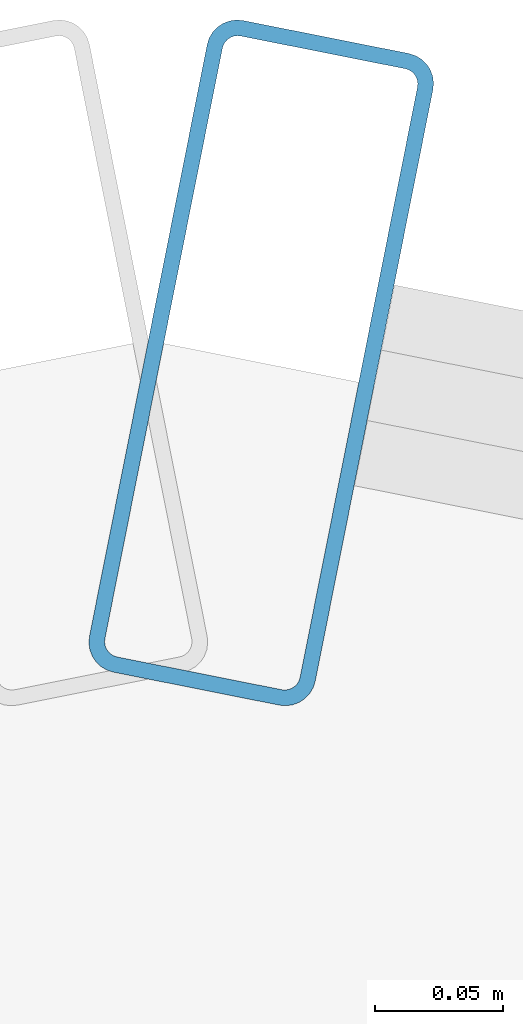
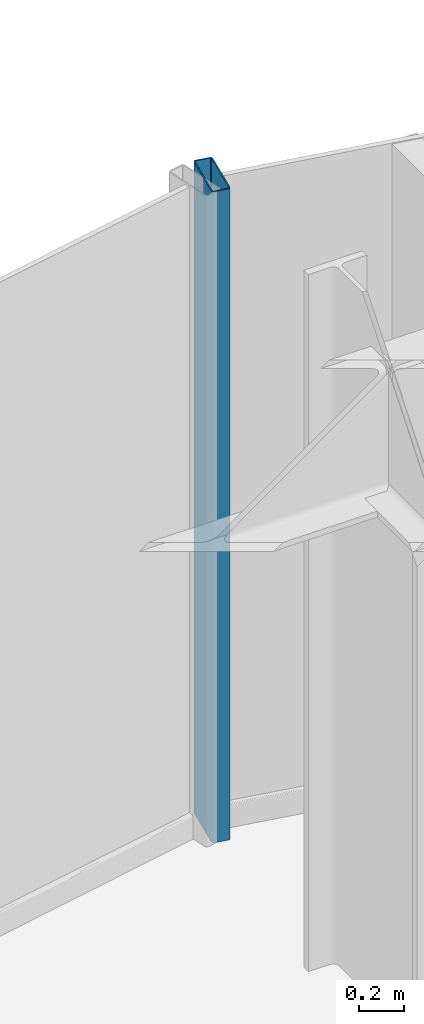
# One storey, part 15 of 26: 1 member, 1 element without a shape of its own.
"""IFC4 building model written with IfcOpenShell, lengths in metres."""

from ifc_helpers import new_model, si_unit, direction, frame, origin, origin_2d, place, context, subcontext, project, spatial, hollow_rectangle, extrude, source, transform, mapped, material, layer, layer_set, material_profile, profile_set, type_object, element, aggregate, save


model = new_model("IFC4")

# Units and contexts
model_context = context("Model", 3, precision=1e-05, world=origin(), true_north=direction((0.0, 1.0)))
body_context = subcontext(model_context, "Body", "Model", "MODEL_VIEW")
ifc_project = project(units=[si_unit("LENGTHUNIT", "METRE"), si_unit("AREAUNIT", "SQUARE_METRE"), si_unit("VOLUMEUNIT", "CUBIC_METRE"), si_unit("PLANEANGLEUNIT", "RADIAN"), si_unit("MASSUNIT", "GRAM", prefix="KILO")], contexts=[model_context])

# Site, building, storey
site_placement = place(None, origin())
site = spatial("IfcSite", under=ifc_project, at=site_placement, CompositionType="ELEMENT")
building_placement = place(site_placement, origin())
building = spatial("IfcBuilding", under=site, at=building_placement, Name="Nefas-Gora Pilgrimage Tower", CompositionType="ELEMENT")
storey_placement = place(building_placement, frame((0.0, 0.0, 40.60009765625)))
storey = spatial("IfcBuildingStorey", under=building, at=storey_placement, Name="L08", CompositionType="ELEMENT", Elevation=40.60009765625)

# Curtain wall, member
ifc_material_1 = material(Name="Dark ceramic-fritted solar-control aluminium-glass curtain wall", Category="aluminium")
ifc_layer = layer(ifc_material_1, 0.219970703125)
ifc_layer_set = layer_set([ifc_layer], Name="Dark ceramic-fritted solar-control aluminium-glass curtain wall")
curtain_wall_type = type_object("IfcCurtainWallType", Name="CW-SYS-5", PredefinedType="NOTDEFINED", material=ifc_layer_set)
curtain_wall_placement = place(storey_placement, origin())
curtain_wall = element("IfcCurtainWall", 1, at=curtain_wall_placement, inside=storey, type_object=curtain_wall_type, Name="L08 Unitised Curtain Wall CW5", PredefinedType="NOTDEFINED")
ifc_material_2 = material(Name="Anodised architectural aluminium", Category="aluminium")
ifc_material_profile = material_profile(ifc_material_2, hollow_rectangle(XDim=0.090087890625, YDim=0.260009765625, WallThickness=0.006103515625, InnerFilletRadius=0.006103515625, OuterFilletRadius=0.011962890625, at=origin_2d()), Name="ALU MULLION 90x260")
ifc_profile_set = profile_set([ifc_material_profile], Name="Anodised architectural aluminium")
member_type = type_object("IfcMemberType", Name="CWM-MUL-5", PredefinedType="MULLION", material=ifc_profile_set)
shared_shape = source(origin(), body_context, "Body", "SweptSolid", [
    extrude(hollow_rectangle(XDim=0.090087890625, YDim=0.260009765625, WallThickness=0.006103515625, InnerFilletRadius=0.006103515625, OuterFilletRadius=0.011962890625, at=origin_2d()), origin(), (0.0, 0.0, 1.0), 3.5498046875),
])
member_placement = place(storey_placement, frame((-2.205810546875, 24.16357421875, 0.0), z_axis=(0.0, 0.0, 1.0), x_axis=(-0.980782896852, 0.195102304554, 0.0)))
member = element("IfcMember", 2, at=member_placement, type_object=member_type, Name="CW5 Mullion 2", PredefinedType="MULLION", context=body_context, shape_type="MappedRepresentation", body=[
    mapped(shared_shape, transform((0.0, 0.0, 0.0), x_axis=(1.0, 0.0, 0.0), y_axis=(0.0, 1.0, 0.0), z_axis=(0.0, 0.0, 1.0), scale=1.0)),
])
aggregate(curtain_wall, [member])

save(model, "model.ifc")
